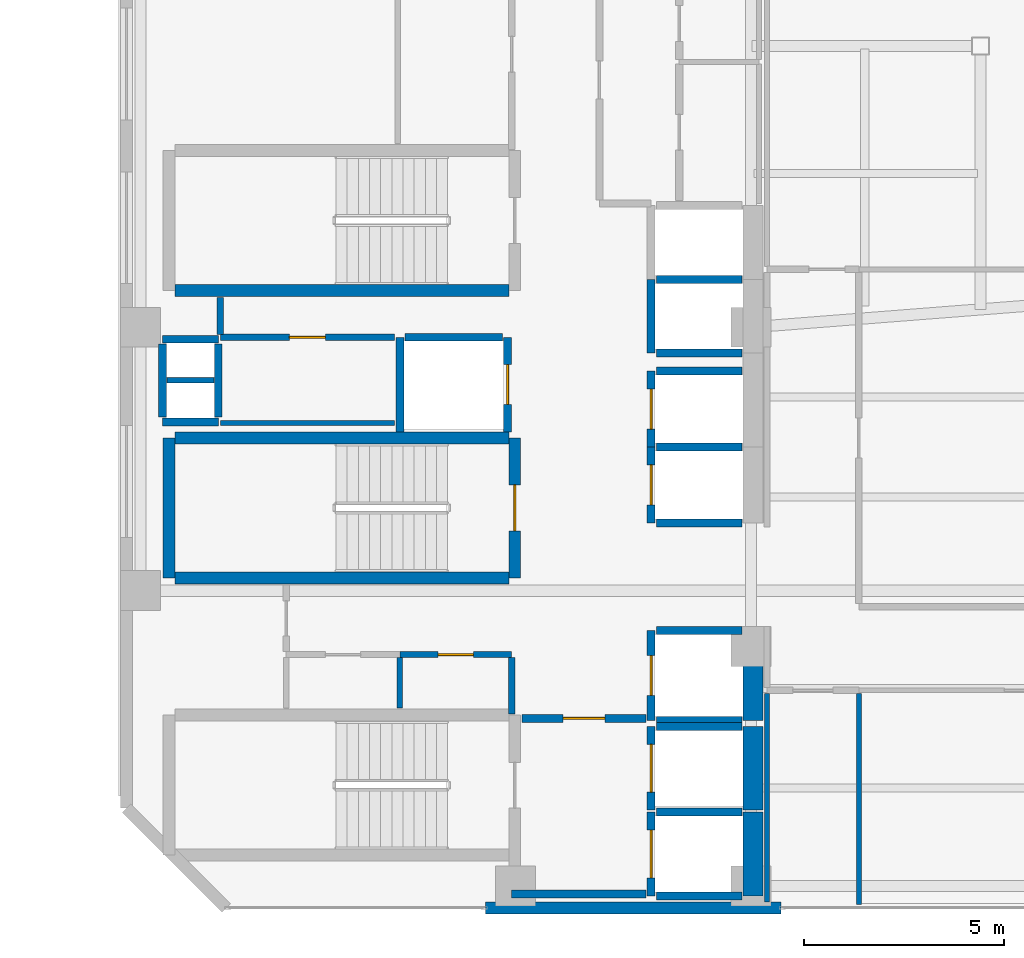
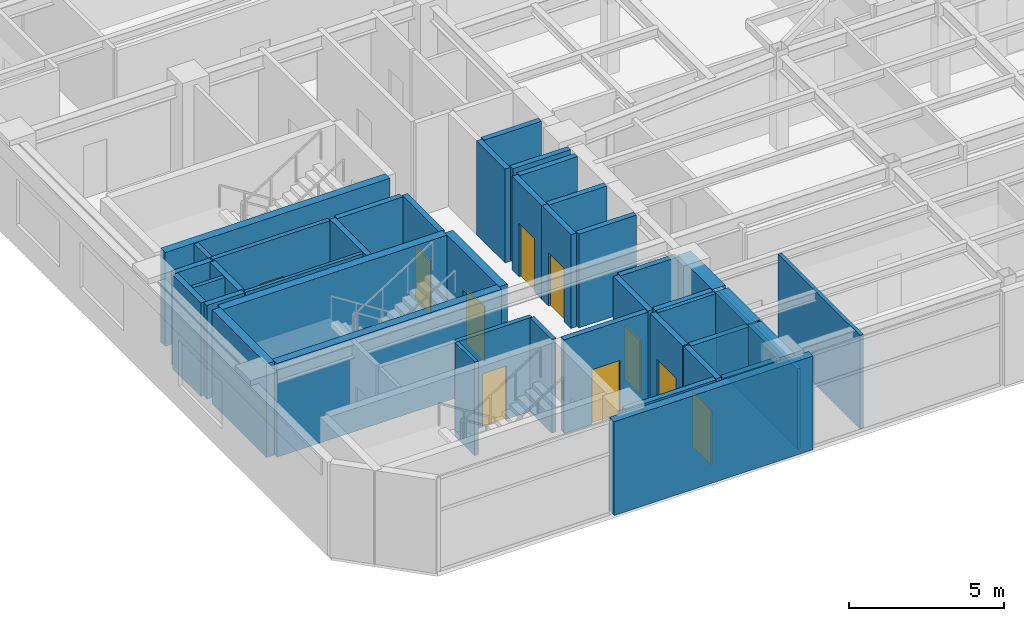
# One storey, part 9 of 17: 43 walls, 10 doors, 10 openings.
"""IFC4 building model written with IfcOpenShell, lengths in metres."""

from ifc_helpers import new_model, si_unit, direction, frame, frame_2d, origin, place, context, subcontext, project, spatial, rectangle, extrude, material, layer, layer_set, type_object, element, fill, save


model = new_model("IFC4")

# Units and contexts
model_context = context("Model", 3, precision=1e-05, world=origin(), true_north=direction((0.0, 1.0)))
body_context = subcontext(model_context, "Body", "Model", "MODEL_VIEW")
ifc_project = project(units=[si_unit("LENGTHUNIT", "METRE"), si_unit("AREAUNIT", "SQUARE_METRE"), si_unit("VOLUMEUNIT", "CUBIC_METRE"), si_unit("PLANEANGLEUNIT", "RADIAN"), si_unit("MASSUNIT", "GRAM", prefix="KILO")], contexts=[model_context])

# Site, building, storey
site_placement = place(None, origin())
site = spatial("IfcSite", under=ifc_project, at=site_placement, CompositionType="ELEMENT")
building_placement = place(site_placement, origin())
building = spatial("IfcBuilding", under=site, at=building_placement, Name="Mawjaban Terraces University", CompositionType="ELEMENT")
storey_placement = place(building_placement, frame((0.0, 0.0, 183.60009765625)))
storey = spatial("IfcBuildingStorey", under=building, at=storey_placement, Name="L44", CompositionType="ELEMENT", Elevation=183.60009765625)

# Walls
ifc_material_1 = material(Name="Concrete C60/75", Category="concrete")
ifc_layer_1 = layer(ifc_material_1, 0.5)
ifc_layer_set_1 = layer_set([ifc_layer_1], Name="Concrete C60/75")
wall_type_1 = type_object("IfcWallType", Name="CoreShearWall_500", PredefinedType="SHEAR", material=ifc_layer_set_1)
wall_1_placement = place(storey_placement, frame((37.699951171875, 0.300048828125, 0.0), z_axis=(0.0, 0.0, 1.0), x_axis=(0.0, 1.0, 0.0)))
element("IfcWall", 1, at=wall_1_placement, inside=storey, type_object=wall_type_1, Name="L44 Lift FL-1 Hoistway Wall East", PredefinedType="SHEAR", context=body_context, shape_type="SweptSolid", body=[
    extrude(rectangle(XDim=2.099853515625, YDim=0.5, at=frame_2d((1.0498046875, 0.0))), origin(), (0.0, 0.0, 1.0), 3.68994140625),
])
wall_2_placement = place(storey_placement, frame((37.699951171875, 2.449951171875, 0.0), z_axis=(0.0, 0.0, 1.0), x_axis=(0.0, 1.0, 0.0)))
element("IfcWall", 2, at=wall_2_placement, inside=storey, type_object=wall_type_1, Name="L44 Lift FL-2 Hoistway Wall East", PredefinedType="SHEAR", context=body_context, shape_type="SweptSolid", body=[
    extrude(rectangle(XDim=2.10009765625, YDim=0.5, at=frame_2d((1.050048828125, 0.0))), origin(), (0.0, 0.0, 1.0), 3.68994140625),
])
wall_3_placement = place(storey_placement, frame((37.699951171875, 4.699951171875, 0.0), z_axis=(0.0, 0.0, 1.0), x_axis=(0.0, 1.0, 0.0)))
element("IfcWall", 3, at=wall_3_placement, inside=storey, type_object=wall_type_1, Name="L44 Lift SL-1 Hoistway Wall East", PredefinedType="SHEAR", context=body_context, shape_type="SweptSolid", body=[
    extrude(rectangle(XDim=2.25, YDim=0.5, at=frame_2d((1.125, 0.0))), origin(), (0.0, 0.0, 1.0), 3.68994140625),
])

# Wall, opening, door
ifc_material_2 = material(Name="Fire-rated gypsum board on steel stud", Category="steel")
ifc_layer_2 = layer(ifc_material_2, 0.159912109375)
ifc_layer_set_2 = layer_set([ifc_layer_2], Name="Fire-rated gypsum board on steel stud")
wall_type_2 = type_object("IfcWallType", Name="CorridorPartition_160", PredefinedType="PARTITIONING", material=ifc_layer_set_2)
wall_4_placement = place(storey_placement, frame((24.35009765625, 14.300048828125, 0.0), z_axis=(0.0, 0.0, 1.0), x_axis=(1.0, 0.0, 0.0)))
wall_4 = element("IfcWall", 4, at=wall_4_placement, inside=storey, type_object=wall_type_2, Name="L44 Core Riser Access Passage Partition 2", PredefinedType="PARTITIONING", context=body_context, shape_type="SweptSolid", body=[
    extrude(rectangle(XDim=4.369873046875, YDim=0.159912109375, at=frame_2d((2.18505859375, 0.0))), origin(), (0.0, 0.0, 1.0), 3.68994140625),
])
opening_1_placement = place(wall_4_placement, frame((1.735107421875, 0.0, 0.0)))
opening_1 = element("IfcOpeningElement", 5, at=opening_1_placement, cuts=wall_4, Name="Opening ID-090", PredefinedType="OPENING", context=body_context, shape_type="SweptSolid", body=[
    extrude(rectangle(XDim=0.89990234375, YDim=2.10009765625, at=frame_2d((0.449951171875, 1.050048828125))), frame((0.0, 0.08984375, 0.0), z_axis=(0.0, -1.0, 0.0), x_axis=(1.0, 0.0, 0.0)), (0.0, 0.0, 1.0), 0.179931640625),
])
ifc_material_3 = material(Name="Powder-coated steel frame and solid acoustic timber leaf", Category="steel")
door_type_1 = type_object("IfcDoorType", Name="OfficeDoor_900x2100", OperationType="NOTDEFINED", PredefinedType="DOOR", material=ifc_material_3)
door_1_placement = place(opening_1_placement, origin())
door_1 = element("IfcDoor", 6, at=door_1_placement, inside=storey, type_object=door_type_1, Name="L44 Cleaner Store Door", OperationType="SINGLE_SWING_RIGHT", OverallHeight=2.10009765625, OverallWidth=0.89990234375, PredefinedType="DOOR", context=body_context, shape_type="SweptSolid", body=[
    extrude(rectangle(XDim=0.89990234375, YDim=2.10009765625, at=frame_2d((0.449951171875, 1.050048828125))), frame((0.0, 0.02490234375, 0.0), z_axis=(0.0, -1.0, 0.0), x_axis=(1.0, 0.0, 0.0)), (0.0, 0.0, 1.0), 0.050048828125),
])
fill(opening_1, door_1)

wall_5_placement = place(storey_placement, frame((28.85009765625, 6.35009765625, 0.0), z_axis=(0.0, 0.0, 1.0), x_axis=(1.0, 0.0, 0.0)))
wall_5 = element("IfcWall", 7, at=wall_5_placement, inside=storey, type_object=wall_type_2, Name="L44 Core Washroom Lobby Partition 8", PredefinedType="PARTITIONING", context=body_context, shape_type="SweptSolid", body=[
    extrude(rectangle(XDim=2.7998046875, YDim=0.159912109375, at=frame_2d((1.39990234375, 0.0))), origin(), (0.0, 0.0, 1.0), 3.68994140625),
])
opening_2_placement = place(wall_5_placement, frame((0.9599609375, 0.0, 0.0)))
opening_2 = element("IfcOpeningElement", 8, at=opening_2_placement, cuts=wall_5, Name="Opening ID-088", PredefinedType="OPENING", context=body_context, shape_type="SweptSolid", body=[
    extrude(rectangle(XDim=0.8798828125, YDim=2.10009765625, at=frame_2d((0.43994140625, 1.050048828125))), frame((0.0, 0.08984375, 0.0), z_axis=(0.0, -1.0, 0.0), x_axis=(1.0, 0.0, 0.0)), (0.0, 0.0, 1.0), 0.179931640625),
])
door_type_2 = type_object("IfcDoorType", Name="ToiletDoor_880x2100", OperationType="NOTDEFINED", PredefinedType="DOOR", material=ifc_material_3)
door_2_placement = place(opening_2_placement, origin())
door_2 = element("IfcDoor", 9, at=door_2_placement, inside=storey, type_object=door_type_2, Name="L44 Accessible Toilet Door", OperationType="SINGLE_SWING_LEFT", OverallHeight=2.10009765625, OverallWidth=0.8798828125, PredefinedType="DOOR", context=body_context, shape_type="SweptSolid", body=[
    extrude(rectangle(XDim=0.8798828125, YDim=2.10009765625, at=frame_2d((0.43994140625, 1.050048828125))), frame((0.0, 0.02490234375, 0.0), z_axis=(0.0, -1.0, 0.0), x_axis=(1.0, 0.0, 0.0)), (0.0, 0.0, 1.0), 0.050048828125),
])
fill(opening_2, door_2)

# Walls
wall_6_placement = place(storey_placement, frame((24.35009765625, 15.2900390625, 0.0), z_axis=(0.0, 0.0, 1.0), x_axis=(0.0, -1.0, 0.0)))
element("IfcWall", 10, at=wall_6_placement, inside=storey, type_object=wall_type_2, Name="L44 Core Riser Access Passage Partition 29", PredefinedType="PARTITIONING", context=body_context, shape_type="SweptSolid", body=[
    extrude(rectangle(XDim=0.9150390625, YDim=0.159912109375, at=frame_2d((0.45751953125, 0.0))), origin(), (0.0, 0.0, 1.0), 3.68994140625),
])
wall_7_placement = place(storey_placement, frame((31.64990234375, 4.860107421875, 0.0), z_axis=(0.0, 0.0, 1.0), x_axis=(0.0, 1.0, 0.0)))
element("IfcWall", 11, at=wall_7_placement, inside=storey, type_object=wall_type_2, Name="L44 Accessible Toilet Partition 40", PredefinedType="PARTITIONING", context=body_context, shape_type="SweptSolid", body=[
    extrude(rectangle(XDim=1.414794921875, YDim=0.159912109375, at=frame_2d((0.70751953125, 0.0))), origin(), (0.0, 0.0, 1.0), 3.68994140625),
])
ifc_material_4 = material(Name="Insulated terracotta rainscreen on concrete backup C40/50", Category="masonry")
ifc_layer_3 = layer(ifc_material_4, 0.300048828125)
ifc_layer_set_3 = layer_set([ifc_layer_3], Name="Insulated terracotta rainscreen on concrete backup C40/50")
wall_type_3 = type_object("IfcWallType", Name="ExtTerracottaWall_300", PredefinedType="SOLIDWALL", material=ifc_layer_set_3)
wall_8_placement = place(storey_placement, frame((31.0, 0.0, 0.0), z_axis=(0.0, 0.0, 1.0), x_axis=(1.0, 0.0, 0.0)))
element("IfcWall", 12, at=wall_8_placement, inside=storey, type_object=wall_type_3, Name="L44 Exterior Terracotta Pier Wall 1.1", PredefinedType="SOLIDWALL", context=body_context, shape_type="SweptSolid", body=[
    extrude(rectangle(XDim=7.39990234375, YDim=0.300048828125, at=frame_2d((3.699951171875, 0.0))), origin(), (0.0, 0.0, 1.0), 3.68994140625),
])

# Wall, opening, door
ifc_material_5 = material(Name="Concrete C40/50", Category="concrete")
ifc_layer_4 = layer(ifc_material_5, 0.199951171875)
ifc_layer_set_4 = layer_set([ifc_layer_4], Name="Concrete C40/50")
wall_type_4 = type_object("IfcWallType", Name="FireLobbyWall_200", PredefinedType="SOLIDWALL", material=ifc_layer_set_4)
wall_9_placement = place(storey_placement, frame((35.14990234375, 2.39990234375, 0.0), z_axis=(0.0, 0.0, 1.0), x_axis=(0.0, -1.0, 0.0)))
wall_9 = element("IfcWall", 13, at=wall_9_placement, inside=storey, type_object=wall_type_4, Name="L44 Lift FL-1 Hoistway Wall West", PredefinedType="SOLIDWALL", context=body_context, shape_type="SweptSolid", body=[
    extrude(rectangle(XDim=2.099853515625, YDim=0.199951171875, at=frame_2d((1.0498046875, 0.0))), origin(), (0.0, 0.0, 1.0), 3.68994140625),
])
opening_3_placement = place(wall_9_placement, frame((0.449951171875, 0.0, 0.0)))
opening_3 = element("IfcOpeningElement", 14, at=opening_3_placement, cuts=wall_9, Name="Opening LD-FL-1", PredefinedType="OPENING", context=body_context, shape_type="SweptSolid", body=[
    extrude(rectangle(XDim=1.199951171875, YDim=2.14990234375, at=frame_2d((0.60009765625, 1.074951171875))), frame((0.0, 0.10986328125, 0.0), z_axis=(0.0, -1.0, 0.0), x_axis=(1.0, 0.0, 0.0)), (0.0, 0.0, 1.0), 0.219970703125),
])
ifc_material_6 = material(Name="Powder-coated steel frame and fire-rated steel-faced leaf", Category="steel")
door_type_3 = type_object("IfcDoorType", Name="LiftLandingFSAE_1200x2150", OperationType="NOTDEFINED", PredefinedType="DOOR", material=ifc_material_6)
door_3_placement = place(opening_3_placement, origin())
door_3 = element("IfcDoor", 15, at=door_3_placement, inside=storey, type_object=door_type_3, Name="L44 Lift FL-1 Sliding Landing Door", OperationType="DOUBLE_DOOR_SLIDING", OverallHeight=2.14990234375, OverallWidth=1.199951171875, PredefinedType="DOOR", context=body_context, shape_type="SweptSolid", body=[
    extrude(rectangle(XDim=1.199951171875, YDim=2.14990234375, at=frame_2d((0.60009765625, 1.074951171875))), frame((0.0, 0.02490234375, 0.0), z_axis=(0.0, -1.0, 0.0), x_axis=(1.0, 0.0, 0.0)), (0.0, 0.0, 1.0), 0.050048828125),
])
fill(opening_3, door_3)

# Walls
for number, where, z_axis, x_axis, name in (
    (16, (35.280029296875, 0.300048828125, 0.0), (0.0, 0.0, 1.0), (1.0, 0.0, 0.0), "L44 Lift FL-1 Hoistway Wall South"),
    (17, (37.419921875, 2.39990234375, 0.0), (0.0, 0.0, 1.0), (-1.0, 0.0, 0.0), "L44 Lift FL-1 Hoistway Wall North"),
):
    element("IfcWall", number, at=place(storey_placement, frame(where, z_axis=z_axis, x_axis=x_axis)), inside=storey, type_object=wall_type_4, Name=name, PredefinedType="SOLIDWALL", context=body_context, shape_type="SweptSolid", body=[
        extrude(rectangle(XDim=2.139892578125, YDim=0.199951171875, at=frame_2d((1.06982421875, 0.0))), origin(), (0.0, 0.0, 1.0), 3.68994140625),
    ])

# Wall, opening, door
wall_10_placement = place(storey_placement, frame((35.14990234375, 4.550048828125, 0.0), z_axis=(0.0, 0.0, 1.0), x_axis=(0.0, -1.0, 0.0)))
wall_10 = element("IfcWall", 18, at=wall_10_placement, inside=storey, type_object=wall_type_4, Name="L44 Lift FL-2 Hoistway Wall West", PredefinedType="SOLIDWALL", context=body_context, shape_type="SweptSolid", body=[
    extrude(rectangle(XDim=2.10009765625, YDim=0.199951171875, at=frame_2d((1.050048828125, 0.0))), origin(), (0.0, 0.0, 1.0), 3.68994140625),
])
opening_4_placement = place(wall_10_placement, frame((0.449951171875, 0.0, 0.0)))
opening_4 = element("IfcOpeningElement", 19, at=opening_4_placement, cuts=wall_10, Name="Opening LD-FL-2", PredefinedType="OPENING", context=body_context, shape_type="SweptSolid", body=[
    extrude(rectangle(XDim=1.199951171875, YDim=2.14990234375, at=frame_2d((0.60009765625, 1.074951171875))), frame((0.0, 0.10986328125, 0.0), z_axis=(0.0, -1.0, 0.0), x_axis=(1.0, 0.0, 0.0)), (0.0, 0.0, 1.0), 0.219970703125),
])
door_4_placement = place(opening_4_placement, origin())
door_4 = element("IfcDoor", 20, at=door_4_placement, inside=storey, type_object=door_type_3, Name="L44 Lift FL-2 Sliding Landing Door", OperationType="DOUBLE_DOOR_SLIDING", OverallHeight=2.14990234375, OverallWidth=1.199951171875, PredefinedType="DOOR", context=body_context, shape_type="SweptSolid", body=[
    extrude(rectangle(XDim=1.199951171875, YDim=2.14990234375, at=frame_2d((0.60009765625, 1.074951171875))), frame((0.0, 0.02490234375, 0.0), z_axis=(0.0, -1.0, 0.0), x_axis=(1.0, 0.0, 0.0)), (0.0, 0.0, 1.0), 0.050048828125),
])
fill(opening_4, door_4)

# Wall
wall_11_placement = place(storey_placement, frame((37.419921875, 4.550048828125, 0.0), z_axis=(0.0, 0.0, 1.0), x_axis=(-1.0, 0.0, 0.0)))
element("IfcWall", 21, at=wall_11_placement, inside=storey, type_object=wall_type_4, Name="L44 Lift FL-2 Hoistway Wall North", PredefinedType="SOLIDWALL", context=body_context, shape_type="SweptSolid", body=[
    extrude(rectangle(XDim=2.139892578125, YDim=0.199951171875, at=frame_2d((1.06982421875, 0.0))), origin(), (0.0, 0.0, 1.0), 3.68994140625),
])

# Wall, opening, door
wall_12_placement = place(storey_placement, frame((35.14990234375, 6.949951171875, 0.0), z_axis=(0.0, 0.0, 1.0), x_axis=(0.0, -1.0, 0.0)))
wall_12 = element("IfcWall", 22, at=wall_12_placement, inside=storey, type_object=wall_type_4, Name="L44 Lift SL-1 Hoistway Wall West", PredefinedType="SOLIDWALL", context=body_context, shape_type="SweptSolid", body=[
    extrude(rectangle(XDim=2.25, YDim=0.199951171875, at=frame_2d((1.125, 0.0))), origin(), (0.0, 0.0, 1.0), 3.68994140625),
])
opening_5_placement = place(wall_12_placement, frame((0.625, 0.0, 0.0)))
opening_5 = element("IfcOpeningElement", 23, at=opening_5_placement, cuts=wall_12, Name="Opening LD-SL-1", PredefinedType="OPENING", context=body_context, shape_type="SweptSolid", body=[
    extrude(rectangle(XDim=1.0, YDim=2.10009765625, at=frame_2d((0.5, 1.050048828125))), frame((0.0, 0.10986328125, 0.0), z_axis=(0.0, -1.0, 0.0), x_axis=(1.0, 0.0, 0.0)), (0.0, 0.0, 1.0), 0.219970703125),
])
door_type_4 = type_object("IfcDoorType", Name="LiftLandingSliding_1000x2100", OperationType="NOTDEFINED", PredefinedType="DOOR", material=ifc_material_6)
door_5_placement = place(opening_5_placement, origin())
door_5 = element("IfcDoor", 24, at=door_5_placement, inside=storey, type_object=door_type_4, Name="L44 Lift SL-1 Sliding Landing Door", OperationType="DOUBLE_DOOR_SLIDING", OverallHeight=2.10009765625, OverallWidth=1.0, PredefinedType="DOOR", context=body_context, shape_type="SweptSolid", body=[
    extrude(rectangle(XDim=1.0, YDim=2.10009765625, at=frame_2d((0.5, 1.050048828125))), frame((0.0, 0.02490234375, 0.0), z_axis=(0.0, -1.0, 0.0), x_axis=(1.0, 0.0, 0.0)), (0.0, 0.0, 1.0), 0.050048828125),
])
fill(opening_5, door_5)

# Walls
for number, where, z_axis, x_axis, name in (
    (25, (35.280029296875, 4.699951171875, 0.0), (0.0, 0.0, 1.0), (1.0, 0.0, 0.0), "L44 Lift SL-1 Hoistway Wall South"),
    (26, (37.419921875, 6.949951171875, 0.0), (0.0, 0.0, 1.0), (-1.0, 0.0, 0.0), "L44 Lift SL-1 Hoistway Wall North"),
):
    element("IfcWall", number, at=place(storey_placement, frame(where, z_axis=z_axis, x_axis=x_axis)), inside=storey, type_object=wall_type_4, Name=name, PredefinedType="SOLIDWALL", context=body_context, shape_type="SweptSolid", body=[
        extrude(rectangle(XDim=2.139892578125, YDim=0.199951171875, at=frame_2d((1.06982421875, 0.0))), origin(), (0.0, 0.0, 1.0), 3.68994140625),
    ])

# Wall, opening, door
wall_13_placement = place(storey_placement, frame((35.14990234375, 11.550048828125, 0.0), z_axis=(0.0, 0.0, 1.0), x_axis=(0.0, -1.0, 0.0)))
wall_13 = element("IfcWall", 27, at=wall_13_placement, inside=storey, type_object=wall_type_4, Name="L44 Lift PL-H1 Hoistway Wall West", PredefinedType="SOLIDWALL", context=body_context, shape_type="SweptSolid", body=[
    extrude(rectangle(XDim=1.900146484375, YDim=0.199951171875, at=frame_2d((0.9501953125, 0.0))), origin(), (0.0, 0.0, 1.0), 3.68994140625),
])
opening_6_placement = place(wall_13_placement, frame((0.449951171875, 0.0, 0.0)))
opening_6 = element("IfcOpeningElement", 28, at=opening_6_placement, cuts=wall_13, Name="Opening LD-PL-H1", PredefinedType="OPENING", context=body_context, shape_type="SweptSolid", body=[
    extrude(rectangle(XDim=1.0, YDim=2.10009765625, at=frame_2d((0.5, 1.050048828125))), frame((0.0, 0.10986328125, 0.0), z_axis=(0.0, -1.0, 0.0), x_axis=(1.0, 0.0, 0.0)), (0.0, 0.0, 1.0), 0.219970703125),
])
door_6_placement = place(opening_6_placement, origin())
door_6 = element("IfcDoor", 29, at=door_6_placement, inside=storey, type_object=door_type_4, Name="L44 Lift PL-H1 Sliding Landing Door", OperationType="DOUBLE_DOOR_SLIDING", OverallHeight=2.10009765625, OverallWidth=1.0, PredefinedType="DOOR", context=body_context, shape_type="SweptSolid", body=[
    extrude(rectangle(XDim=1.0, YDim=2.10009765625, at=frame_2d((0.5, 1.050048828125))), frame((0.0, 0.02490234375, 0.0), z_axis=(0.0, -1.0, 0.0), x_axis=(1.0, 0.0, 0.0)), (0.0, 0.0, 1.0), 0.050048828125),
])
fill(opening_6, door_6)

# Walls
for number, where, z_axis, x_axis, name in (
    (30, (35.280029296875, 9.64990234375, 0.0), (0.0, 0.0, 1.0), (1.0, 0.0, 0.0), "L44 Lift PL-H1 Hoistway Wall South"),
    (31, (37.419921875, 11.550048828125, 0.0), (0.0, 0.0, 1.0), (-1.0, 0.0, 0.0), "L44 Lift PL-H1 Hoistway Wall North"),
):
    element("IfcWall", number, at=place(storey_placement, frame(where, z_axis=z_axis, x_axis=x_axis)), inside=storey, type_object=wall_type_4, Name=name, PredefinedType="SOLIDWALL", context=body_context, shape_type="SweptSolid", body=[
        extrude(rectangle(XDim=2.139892578125, YDim=0.199951171875, at=frame_2d((1.06982421875, 0.0))), origin(), (0.0, 0.0, 1.0), 3.68994140625),
    ])

# Wall, opening, door
wall_14_placement = place(storey_placement, frame((35.14990234375, 13.449951171875, 0.0), z_axis=(0.0, 0.0, 1.0), x_axis=(0.0, -1.0, 0.0)))
wall_14 = element("IfcWall", 32, at=wall_14_placement, inside=storey, type_object=wall_type_4, Name="L44 Lift PL-H2 Hoistway Wall West", PredefinedType="SOLIDWALL", context=body_context, shape_type="SweptSolid", body=[
    extrude(rectangle(XDim=1.89990234375, YDim=0.199951171875, at=frame_2d((0.949951171875, 0.0))), origin(), (0.0, 0.0, 1.0), 3.68994140625),
])
opening_7_placement = place(wall_14_placement, frame((0.449951171875, 0.0, 0.0)))
opening_7 = element("IfcOpeningElement", 33, at=opening_7_placement, cuts=wall_14, Name="Opening LD-PL-H2", PredefinedType="OPENING", context=body_context, shape_type="SweptSolid", body=[
    extrude(rectangle(XDim=1.0, YDim=2.10009765625, at=frame_2d((0.5, 1.050048828125))), frame((0.0, 0.10986328125, 0.0), z_axis=(0.0, -1.0, 0.0), x_axis=(1.0, 0.0, 0.0)), (0.0, 0.0, 1.0), 0.219970703125),
])
door_7_placement = place(opening_7_placement, origin())
door_7 = element("IfcDoor", 34, at=door_7_placement, inside=storey, type_object=door_type_4, Name="L44 Lift PL-H2 Sliding Landing Door", OperationType="DOUBLE_DOOR_SLIDING", OverallHeight=2.10009765625, OverallWidth=1.0, PredefinedType="DOOR", context=body_context, shape_type="SweptSolid", body=[
    extrude(rectangle(XDim=1.0, YDim=2.10009765625, at=frame_2d((0.5, 1.050048828125))), frame((0.0, 0.02490234375, 0.0), z_axis=(0.0, -1.0, 0.0), x_axis=(1.0, 0.0, 0.0)), (0.0, 0.0, 1.0), 0.050048828125),
])
fill(opening_7, door_7)

# Walls
wall_15_placement = place(storey_placement, frame((37.419921875, 13.449951171875, 0.0), z_axis=(0.0, 0.0, 1.0), x_axis=(-1.0, 0.0, 0.0)))
element("IfcWall", 35, at=wall_15_placement, inside=storey, type_object=wall_type_4, Name="L44 Lift PL-H2 Hoistway Wall North", PredefinedType="SOLIDWALL", context=body_context, shape_type="SweptSolid", body=[
    extrude(rectangle(XDim=2.139892578125, YDim=0.199951171875, at=frame_2d((1.06982421875, 0.0))), origin(), (0.0, 0.0, 1.0), 3.68994140625),
])
wall_16_placement = place(storey_placement, frame((28.85009765625, 14.300048828125, 0.0), z_axis=(0.0, 0.0, 1.0), x_axis=(0.0, -1.0, 0.0)))
element("IfcWall", 36, at=wall_16_placement, inside=storey, type_object=wall_type_4, Name="L44 Lift PL-H3 Hoistway Wall West", PredefinedType="SOLIDWALL", context=body_context, shape_type="SweptSolid", body=[
    extrude(rectangle(XDim=2.3701171875, YDim=0.199951171875, at=frame_2d((1.18505859375, 0.0))), origin(), (0.0, 0.0, 1.0), 3.68994140625),
])

# Wall, opening, door
wall_17_placement = place(storey_placement, frame((31.550048828125, 11.929931640625, 0.0), z_axis=(0.0, 0.0, 1.0), x_axis=(0.0, 1.0, 0.0)))
wall_17 = element("IfcWall", 37, at=wall_17_placement, inside=storey, type_object=wall_type_4, Name="L44 Lift PL-H3 Hoistway Wall East", PredefinedType="SOLIDWALL", context=body_context, shape_type="SweptSolid", body=[
    extrude(rectangle(XDim=2.3701171875, YDim=0.199951171875, at=frame_2d((1.18505859375, 0.0))), origin(), (0.0, 0.0, 1.0), 3.68994140625),
])
opening_8_placement = place(wall_17_placement, frame((0.68505859375, 0.0, 0.0)))
opening_8 = element("IfcOpeningElement", 38, at=opening_8_placement, cuts=wall_17, Name="Opening LD-PL-H3", PredefinedType="OPENING", context=body_context, shape_type="SweptSolid", body=[
    extrude(rectangle(XDim=1.0, YDim=2.10009765625, at=frame_2d((0.5, 1.050048828125))), frame((0.0, 0.10986328125, 0.0), z_axis=(0.0, -1.0, 0.0), x_axis=(1.0, 0.0, 0.0)), (0.0, 0.0, 1.0), 0.219970703125),
])
door_8_placement = place(opening_8_placement, origin())
door_8 = element("IfcDoor", 39, at=door_8_placement, inside=storey, type_object=door_type_4, Name="L44 Lift PL-H3 Sliding Landing Door", OperationType="DOUBLE_DOOR_SLIDING", OverallHeight=2.10009765625, OverallWidth=1.0, PredefinedType="DOOR", context=body_context, shape_type="SweptSolid", body=[
    extrude(rectangle(XDim=1.0, YDim=2.10009765625, at=frame_2d((0.5, 1.050048828125))), frame((0.0, 0.02490234375, 0.0), z_axis=(0.0, -1.0, 0.0), x_axis=(1.0, 0.0, 0.0)), (0.0, 0.0, 1.0), 0.050048828125),
])
fill(opening_8, door_8)

# Walls
wall_18_placement = place(storey_placement, frame((31.419921875, 14.300048828125, 0.0), z_axis=(0.0, 0.0, 1.0), x_axis=(-1.0, 0.0, 0.0)))
element("IfcWall", 40, at=wall_18_placement, inside=storey, type_object=wall_type_4, Name="L44 Lift PL-H3 Hoistway Wall North", PredefinedType="SOLIDWALL", context=body_context, shape_type="SweptSolid", body=[
    extrude(rectangle(XDim=2.43994140625, YDim=0.199951171875, at=frame_2d((1.219970703125, 0.0))), origin(), (0.0, 0.0, 1.0), 3.68994140625),
])
wall_19_placement = place(storey_placement, frame((35.14990234375, 15.75, 0.0), z_axis=(0.0, 0.0, 1.0), x_axis=(0.0, -1.0, 0.0)))
element("IfcWall", 41, at=wall_19_placement, inside=storey, type_object=wall_type_4, Name="L44 Lift OL-1 Hoistway Wall West", PredefinedType="SOLIDWALL", context=body_context, shape_type="SweptSolid", body=[
    extrude(rectangle(XDim=1.85009765625, YDim=0.199951171875, at=frame_2d((0.925048828125, 0.0))), origin(), (0.0, 0.0, 1.0), 3.68994140625),
])
for number, where, z_axis, x_axis, name in (
    (42, (35.280029296875, 13.89990234375, 0.0), (0.0, 0.0, 1.0), (1.0, 0.0, 0.0), "L44 Lift OL-1 Hoistway Wall South"),
    (43, (37.419921875, 15.75, 0.0), (0.0, 0.0, 1.0), (-1.0, 0.0, 0.0), "L44 Lift OL-1 Hoistway Wall North"),
):
    element("IfcWall", number, at=place(storey_placement, frame(where, z_axis=z_axis, x_axis=x_axis)), inside=storey, type_object=wall_type_4, Name=name, PredefinedType="SOLIDWALL", context=body_context, shape_type="SweptSolid", body=[
        extrude(rectangle(XDim=2.139892578125, YDim=0.199951171875, at=frame_2d((1.06982421875, 0.0))), origin(), (0.0, 0.0, 1.0), 3.68994140625),
    ])
for number, where, z_axis, x_axis, name in (
    (44, (22.89990234375, 14.25, 0.0), (0.0, 0.0, 1.0), (1.0, 0.0, 0.0), "L44 MEP Riser Shaft Wall N"),
    (45, (22.89990234375, 12.179931640625, 0.0), (0.0, 0.0, 1.0), (1.0, 0.0, 0.0), "L44 MEP Riser Shaft Wall S"),
):
    element("IfcWall", number, at=place(storey_placement, frame(where, z_axis=z_axis, x_axis=x_axis)), inside=storey, type_object=wall_type_4, Name=name, PredefinedType="SOLIDWALL", context=body_context, shape_type="SweptSolid", body=[
        extrude(rectangle(XDim=1.400146484375, YDim=0.199951171875, at=frame_2d((0.7001953125, 0.0))), origin(), (0.0, 0.0, 1.0), 3.68994140625),
    ])
for number, where, z_axis, x_axis, name in (
    (46, (24.300048828125, 12.300048828125, 0.0), (0.0, 0.0, 1.0), (0.0, 1.0, 0.0), "L44 MEP Riser Shaft Wall E"),
    (47, (22.89990234375, 12.300048828125, 0.0), (0.0, 0.0, 1.0), (0.0, 1.0, 0.0), "L44 MEP Riser Shaft Wall W"),
):
    element("IfcWall", number, at=place(storey_placement, frame(where, z_axis=z_axis, x_axis=x_axis)), inside=storey, type_object=wall_type_4, Name=name, PredefinedType="SOLIDWALL", context=body_context, shape_type="SweptSolid", body=[
        extrude(rectangle(XDim=1.829833984375, YDim=0.199951171875, at=frame_2d((0.9150390625, 0.0))), origin(), (0.0, 0.0, 1.0), 3.68994140625),
    ])
wall_20_placement = place(storey_placement, frame((31.64990234375, 0.35009765625, 0.0), z_axis=(0.0, 0.0, 1.0), x_axis=(1.0, 0.0, 0.0)))
element("IfcWall", 48, at=wall_20_placement, inside=storey, type_object=wall_type_4, Name="L44 Firefighting Lift Lobby Partition 9", PredefinedType="SOLIDWALL", context=body_context, shape_type="SweptSolid", body=[
    extrude(rectangle(XDim=3.3701171875, YDim=0.199951171875, at=frame_2d((1.68505859375, 0.0))), origin(), (0.0, 0.0, 1.0), 3.68994140625),
])

# Wall, opening, door
wall_21_placement = place(storey_placement, frame((35.02001953125, 4.75, 0.0), z_axis=(0.0, 0.0, 1.0), x_axis=(-1.0, 0.0, 0.0)))
wall_21 = element("IfcWall", 49, at=wall_21_placement, inside=storey, type_object=wall_type_4, Name="L44 Firefighting Lift Lobby Partition 12", PredefinedType="SOLIDWALL", context=body_context, shape_type="SweptSolid", body=[
    extrude(rectangle(XDim=3.110107421875, YDim=0.199951171875, at=frame_2d((1.55517578125, 0.0))), origin(), (0.0, 0.0, 1.0), 3.68994140625),
])
opening_9_placement = place(wall_21_placement, frame((1.030029296875, 0.0, 0.0)))
opening_9 = element("IfcOpeningElement", 50, at=opening_9_placement, cuts=wall_21, Name="Opening FD-105", PredefinedType="OPENING", context=body_context, shape_type="SweptSolid", body=[
    extrude(rectangle(XDim=1.050048828125, YDim=2.14990234375, at=frame_2d((0.52490234375, 1.074951171875))), frame((0.0, 0.10986328125, 0.0), z_axis=(0.0, -1.0, 0.0), x_axis=(1.0, 0.0, 0.0)), (0.0, 0.0, 1.0), 0.219970703125),
])
door_type_5 = type_object("IfcDoorType", Name="FireLobbyDoor_1050x2150", OperationType="NOTDEFINED", PredefinedType="DOOR", material=ifc_material_6)
door_9_placement = place(opening_9_placement, origin())
door_9 = element("IfcDoor", 51, at=door_9_placement, inside=storey, type_object=door_type_5, Name="L44 Firefighting Lift Lobby Door", OperationType="SINGLE_SWING_RIGHT", OverallHeight=2.14990234375, OverallWidth=1.050048828125, PredefinedType="DOOR", context=body_context, shape_type="SweptSolid", body=[
    extrude(rectangle(XDim=1.050048828125, YDim=2.14990234375, at=frame_2d((0.52490234375, 1.074951171875))), frame((0.0, 0.02490234375, 0.0), z_axis=(0.0, -1.0, 0.0), x_axis=(1.0, 0.0, 0.0)), (0.0, 0.0, 1.0), 0.050048828125),
])
fill(opening_9, door_9)

# Walls
ifc_material_7 = material(Name="Moisture-resistant gypsum board on steel stud", Category="steel")
ifc_layer_5 = layer(ifc_material_7, 0.14501953125)
ifc_layer_set_5 = layer_set([ifc_layer_5], Name="Moisture-resistant gypsum board on steel stud")
wall_type_5 = type_object("IfcWallType", Name="LabPartition_145", PredefinedType="PARTITIONING", material=ifc_layer_set_5)
wall_22_placement = place(storey_placement, frame((23.010009765625, 13.22509765625, 0.0), z_axis=(0.0, 0.0, 1.0), x_axis=(1.0, 0.0, 0.0)))
element("IfcWall", 52, at=wall_22_placement, inside=storey, type_object=wall_type_5, Name="L44 MEP Riser Shaft Wall M", PredefinedType="PARTITIONING", context=body_context, shape_type="SweptSolid", body=[
    extrude(rectangle(XDim=1.179931640625, YDim=0.14501953125, at=frame_2d((0.58984375, 0.0))), origin(), (0.0, 0.0, 1.0), 3.68994140625),
])
ifc_material_8 = material(Name="Gypsum plasterboard on steel stud", Category="steel")
ifc_layer_6 = layer(ifc_material_8, 0.125)
ifc_layer_set_6 = layer_set([ifc_layer_6], Name="Gypsum plasterboard on steel stud")
wall_type_6 = type_object("IfcWallType", Name="OfficePartition_125", PredefinedType="PARTITIONING", material=ifc_layer_set_6)
wall_23_placement = place(storey_placement, frame((24.35009765625, 12.14990234375, 0.0), z_axis=(0.0, 0.0, 1.0), x_axis=(1.0, 0.0, 0.0)))
element("IfcWall", 53, at=wall_23_placement, inside=storey, type_object=wall_type_6, Name="L44 Cleaner Store Partition 1", PredefinedType="PARTITIONING", context=body_context, shape_type="SweptSolid", body=[
    extrude(rectangle(XDim=4.369873046875, YDim=0.125, at=frame_2d((2.18505859375, 0.0))), origin(), (0.0, 0.0, 1.0), 3.68994140625),
])
wall_24_placement = place(storey_placement, frame((38.050048828125, 5.375, 0.0), z_axis=(0.0, 0.0, 1.0), x_axis=(0.0, -1.0, 0.0)))
element("IfcWall", 54, at=wall_24_placement, inside=storey, type_object=wall_type_6, Name="L44 Classroom 1 Partition 47", PredefinedType="PARTITIONING", context=body_context, shape_type="SweptSolid", body=[
    extrude(rectangle(XDim=5.22998046875, YDim=0.125, at=frame_2d((2.614990234375, 0.0))), origin(), (0.0, 0.0, 1.0), 3.138916015625),
])
wall_25_placement = place(storey_placement, frame((40.35009765625, 0.090087890625, 0.0), z_axis=(0.0, 0.0, 1.0), x_axis=(0.0, 1.0, 0.0)))
element("IfcWall", 55, at=wall_25_placement, inside=storey, type_object=wall_type_6, Name="L44 Classroom 1 Partition 51", PredefinedType="PARTITIONING", context=body_context, shape_type="SweptSolid", body=[
    extrude(rectangle(XDim=5.284912109375, YDim=0.125, at=frame_2d((2.642578125, 0.0))), origin(), (0.0, 0.0, 1.0), 3.68994140625),
])
ifc_layer_7 = layer(ifc_material_1, 0.300048828125)
ifc_layer_set_7 = layer_set([ifc_layer_7], Name="Concrete C60/75")
wall_type_7 = type_object("IfcWallType", Name="StairShaftWall_300", PredefinedType="SHEAR", material=ifc_layer_set_7)
for number, where, z_axis, x_axis, name in (
    (56, (23.219970703125, 15.469970703125, 0.0), (0.0, 0.0, 1.0), (1.0, 0.0, 0.0), "L44 ST-2 Stair Shaft Wall 3"),
    (57, (31.580078125, 11.780029296875, 0.0), (0.0, 0.0, 1.0), (-1.0, 0.0, 0.0), "L44 ST-3 Stair Shaft Wall 1"),
):
    element("IfcWall", number, at=place(storey_placement, frame(where, z_axis=z_axis, x_axis=x_axis)), inside=storey, type_object=wall_type_7, Name=name, PredefinedType="SHEAR", context=body_context, shape_type="SweptSolid", body=[
        extrude(rectangle(XDim=8.360107421875, YDim=0.300048828125, at=frame_2d((4.18017578125, 0.0))), origin(), (0.0, 0.0, 1.0), 3.68994140625),
    ])
wall_26_placement = place(storey_placement, frame((23.070068359375, 11.780029296875, 0.0), z_axis=(0.0, 0.0, 1.0), x_axis=(0.0, -1.0, 0.0)))
element("IfcWall", 58, at=wall_26_placement, inside=storey, type_object=wall_type_7, Name="L44 ST-3 Stair Shaft Wall 2", PredefinedType="SHEAR", context=body_context, shape_type="SweptSolid", body=[
    extrude(rectangle(XDim=3.510009765625, YDim=0.300048828125, at=frame_2d((1.7548828125, 0.0))), origin(), (0.0, 0.0, 1.0), 3.68994140625),
])
wall_27_placement = place(storey_placement, frame((23.219970703125, 8.27001953125, 0.0), z_axis=(0.0, 0.0, 1.0), x_axis=(1.0, 0.0, 0.0)))
element("IfcWall", 59, at=wall_27_placement, inside=storey, type_object=wall_type_7, Name="L44 ST-3 Stair Shaft Wall 3", PredefinedType="SHEAR", context=body_context, shape_type="SweptSolid", body=[
    extrude(rectangle(XDim=8.360107421875, YDim=0.300048828125, at=frame_2d((4.18017578125, 0.0))), origin(), (0.0, 0.0, 1.0), 3.68994140625),
])

# Wall, opening, door
wall_28_placement = place(storey_placement, frame((31.72998046875, 8.27001953125, 0.0), z_axis=(0.0, 0.0, 1.0), x_axis=(0.0, 1.0, 0.0)))
wall_28 = element("IfcWall", 60, at=wall_28_placement, inside=storey, type_object=wall_type_7, Name="L44 ST-3 Stair Shaft Wall 4", PredefinedType="SHEAR", context=body_context, shape_type="SweptSolid", body=[
    extrude(rectangle(XDim=3.510009765625, YDim=0.300048828125, at=frame_2d((1.7548828125, 0.0))), origin(), (0.0, 0.0, 1.0), 3.68994140625),
])
opening_10_placement = place(wall_28_placement, frame((1.179931640625, 0.0, 0.0)))
opening_10 = element("IfcOpeningElement", 61, at=opening_10_placement, cuts=wall_28, Name="Opening FD-115", PredefinedType="OPENING", context=body_context, shape_type="SweptSolid", body=[
    extrude(rectangle(XDim=1.14990234375, YDim=2.14990234375, at=frame_2d((0.574951171875, 1.074951171875))), frame((0.0, 0.159912109375, 0.0), z_axis=(0.0, -1.0, 0.0), x_axis=(1.0, 0.0, 0.0)), (0.0, 0.0, 1.0), 0.320068359375),
])
door_type_6 = type_object("IfcDoorType", Name="FireStairDoor_1150x2150", OperationType="NOTDEFINED", PredefinedType="DOOR", material=ifc_material_6)
door_10_placement = place(opening_10_placement, origin())
door_10 = element("IfcDoor", 62, at=door_10_placement, inside=storey, type_object=door_type_6, Name="L44 ST-3 Pressurised Stair Fire Door", OperationType="SINGLE_SWING_LEFT", OverallHeight=2.14990234375, OverallWidth=1.14990234375, PredefinedType="DOOR", context=body_context, shape_type="SweptSolid", body=[
    extrude(rectangle(XDim=1.14990234375, YDim=2.14990234375, at=frame_2d((0.574951171875, 1.074951171875))), frame((0.0, 0.02490234375, 0.0), z_axis=(0.0, -1.0, 0.0), x_axis=(1.0, 0.0, 0.0)), (0.0, 0.0, 1.0), 0.050048828125),
])
fill(opening_10, door_10)

# Wall
ifc_material_9 = material(Name="Cement-board wet-room partition", Category="masonry")
ifc_layer_8 = layer(ifc_material_9, 0.135009765625)
ifc_layer_set_8 = layer_set([ifc_layer_8], Name="Cement-board wet-room partition")
wall_type_8 = type_object("IfcWallType", Name="WetRoomPartition_135", PredefinedType="PARTITIONING", material=ifc_layer_set_8)
wall_29_placement = place(storey_placement, frame((28.85009765625, 5.010009765625, 0.0), z_axis=(0.0, 0.0, 1.0), x_axis=(0.0, 1.0, 0.0)))
element("IfcWall", 63, at=wall_29_placement, inside=storey, type_object=wall_type_8, Name="L44 Male Toilet Partition 39", PredefinedType="PARTITIONING", context=body_context, shape_type="SweptSolid", body=[
    extrude(rectangle(XDim=1.264892578125, YDim=0.135009765625, at=frame_2d((0.63232421875, 0.0))), origin(), (0.0, 0.0, 1.0), 3.68994140625),
])

save(model, "model.ifc")
